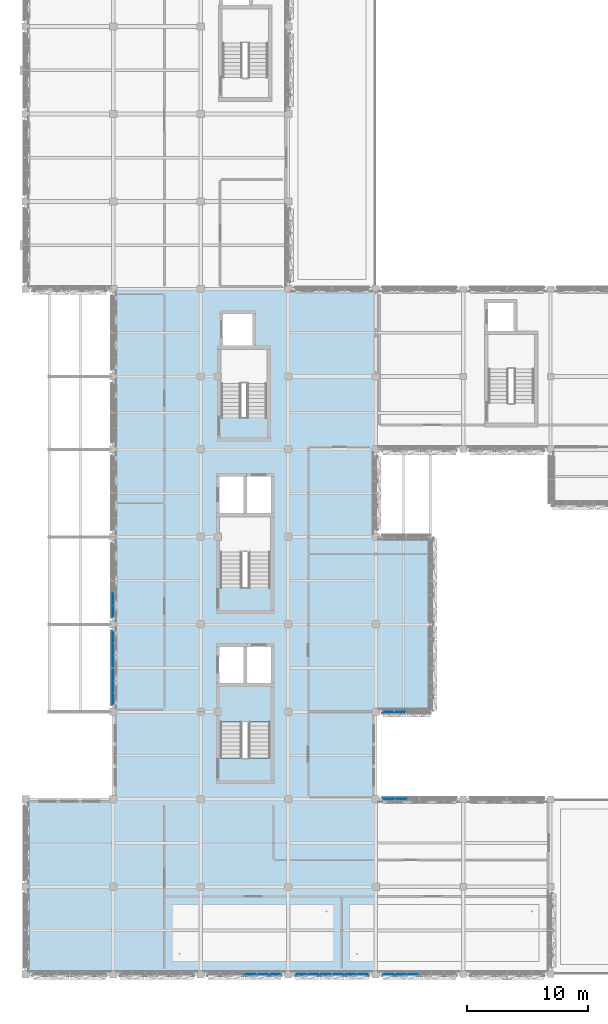
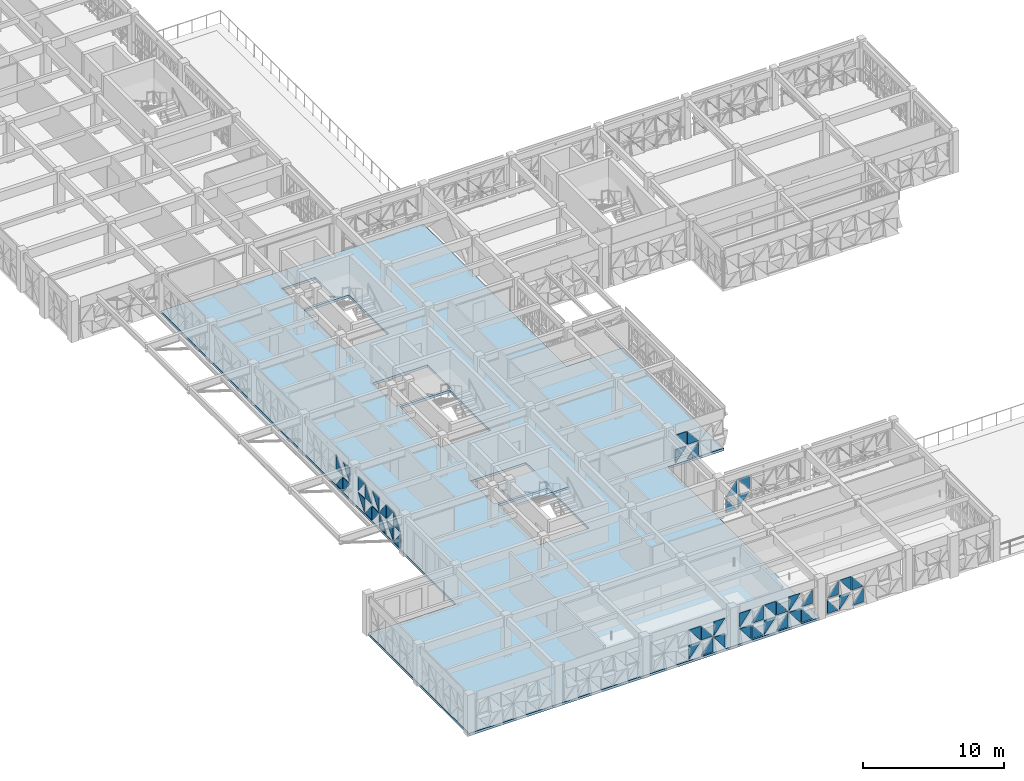
# One storey, part 33 of 99: 48 plates, 2 slabs, 8 elements without a shape of their own.
"""IFC4 building model written with IfcOpenShell, lengths in metres."""

from ifc_helpers import new_model, si_unit, direction, frame, origin, place, context, subcontext, project, spatial, polyline, outline, extrude, material, layer, layer_set, type_object, element, aggregate, save


model = new_model("IFC4")

# Units and contexts
model_context = context("Model", 3, precision=1e-05, world=origin(), true_north=direction((0.0, 1.0)))
body_context = subcontext(model_context, "Body", "Model", "MODEL_VIEW")
ifc_project = project(units=[si_unit("LENGTHUNIT", "METRE"), si_unit("AREAUNIT", "SQUARE_METRE"), si_unit("VOLUMEUNIT", "CUBIC_METRE"), si_unit("PLANEANGLEUNIT", "RADIAN"), si_unit("MASSUNIT", "GRAM", prefix="KILO")], contexts=[model_context])

# Site, building, storey
site_placement = place(None, origin())
site = spatial("IfcSite", under=ifc_project, at=site_placement, CompositionType="ELEMENT")
building_placement = place(site_placement, origin())
building = spatial("IfcBuilding", under=site, at=building_placement, Name="Alvorim Cloister Faculty of Sciences", CompositionType="ELEMENT")
storey_placement = place(building_placement, frame((0.0, 0.0, 12.14990234375)))
storey = spatial("IfcBuildingStorey", under=building, at=storey_placement, Name="L03", CompositionType="ELEMENT", Elevation=12.14990234375)

# Curtain wall, plates
ifc_material_1 = material(Name="Aluminium and Low-E Glass Curtain Wall", Category="aluminium")
curtain_wall_type_1 = type_object("IfcCurtainWallType", Name="CW-TRI-6120x2850", PredefinedType="USERDEFINED", material=ifc_material_1)
curtain_wall_1_placement = place(storey_placement, origin())
curtain_wall_1 = element("IfcCurtainWall", 1, at=curtain_wall_1_placement, inside=storey, type_object=curtain_wall_type_1, Name="L03 Diagonal Cassette Curtain Wall CW-0100", ObjectType="UNITISED CURTAIN WALL", PredefinedType="USERDEFINED")
ifc_material_2 = material(Name="Double Low-E Laminated Glass", Category="glass")
ifc_layer_1 = layer(ifc_material_2, 0.0400390625)
ifc_layer_set_1 = layer_set([ifc_layer_1], Name="Double Low-E Laminated Glass")
plate_type = type_object("IfcPlateType", Name="PN-GLZ-40", PredefinedType="CURTAIN_PANEL", material=ifc_layer_set_1)
plate_1_placement = place(storey_placement, frame((7.175048828125, 22.205078125, 0.14013671875), z_axis=(0.0, 0.0, 1.0), x_axis=(0.0, 1.0, 0.0)))
plate_1 = element("IfcPlate", 2, at=plate_1_placement, type_object=plate_type, Name="Diagonal Glazed Triangle TRI-BL", PredefinedType="CURTAIN_PANEL", context=body_context, shape_type="SweptSolid", body=[
    extrude(outline(polyline([(0.0, 0.0), (0.920654296875, 0.0), (0.0, 1.212890625), (0.0, 0.0)])), frame((0.0, 0.02490234375, 0.0), z_axis=(0.0, -1.0, 0.0), x_axis=(1.0, 0.0, 0.0)), (0.0, 0.0, 1.0), 0.050048828125),
])
plate_2_placement = place(storey_placement, frame((7.175048828125, 22.205078125, 1.4951171875), z_axis=(0.0, 0.0, 1.0), x_axis=(0.0, 1.0, 0.0)))
plate_2 = element("IfcPlate", 3, at=plate_2_placement, type_object=plate_type, Name="Diagonal Glazed Triangle TRI-BR", PredefinedType="CURTAIN_PANEL", context=body_context, shape_type="SweptSolid", body=[
    extrude(outline(polyline([(0.001953125, 0.0), (0.922607421875, 0.0), (0.922607421875, 1.213134765625), (0.001953125, 0.0)])), frame((0.0, 0.02490234375, 0.0), z_axis=(0.0, -1.0, 0.0), x_axis=(1.0, 0.0, 0.0)), (0.0, 0.0, 1.0), 0.050048828125),
])
plate_3_placement = place(storey_placement, frame((7.175048828125, 23.1923828125, 0.14013671875), z_axis=(0.0, 0.0, 1.0), x_axis=(0.0, 1.0, 0.0)))
plate_3 = element("IfcPlate", 4, at=plate_3_placement, type_object=plate_type, Name="Diagonal Glazed Triangle TRI-TL", PredefinedType="CURTAIN_PANEL", context=body_context, shape_type="SweptSolid", body=[
    extrude(outline(polyline([(0.953125, 1.21484375), (0.0, 1.21484375), (0.0, 0.001953125), (0.953125, 1.21484375)])), frame((0.0, 0.02490234375, 0.0), z_axis=(0.0, -1.0, 0.0), x_axis=(1.0, 0.0, 0.0)), (0.0, 0.0, 1.0), 0.050048828125),
])
plate_4_placement = place(storey_placement, frame((7.175048828125, 23.1923828125, 1.4951171875), z_axis=(0.0, 0.0, 1.0), x_axis=(0.0, 1.0, 0.0)))
plate_4 = element("IfcPlate", 5, at=plate_4_placement, type_object=plate_type, Name="Diagonal Glazed Triangle TRI-TR", PredefinedType="CURTAIN_PANEL", context=body_context, shape_type="SweptSolid", body=[
    extrude(outline(polyline([(0.955078125, 0.001953125), (0.955078125, 1.215087890625), (0.001953125, 1.215087890625), (0.955078125, 0.001953125)])), frame((0.0, 0.02490234375, 0.0), z_axis=(0.0, -1.0, 0.0), x_axis=(1.0, 0.0, 0.0)), (0.0, 0.0, 1.0), 0.050048828125),
])
plate_5_placement = place(storey_placement, frame((7.175048828125, 24.21240234375, 0.14013671875), z_axis=(0.0, 0.0, 1.0), x_axis=(0.0, 1.0, 0.0)))
plate_5 = element("IfcPlate", 6, at=plate_5_placement, type_object=plate_type, Name="Diagonal Glazed Triangle TRI-BR", PredefinedType="CURTAIN_PANEL", context=body_context, shape_type="SweptSolid", body=[
    extrude(outline(polyline([(0.001953125, 0.0), (0.955078125, 0.0), (0.955078125, 1.212890625), (0.001953125, 0.0)])), frame((0.0, 0.02490234375, 0.0), z_axis=(0.0, -1.0, 0.0), x_axis=(1.0, 0.0, 0.0)), (0.0, 0.0, 1.0), 0.050048828125),
])
plate_6_placement = place(storey_placement, frame((7.175048828125, 24.21240234375, 1.4951171875), z_axis=(0.0, 0.0, 1.0), x_axis=(0.0, 1.0, 0.0)))
plate_6 = element("IfcPlate", 7, at=plate_6_placement, type_object=plate_type, Name="Diagonal Glazed Triangle TRI-BL", PredefinedType="CURTAIN_PANEL", context=body_context, shape_type="SweptSolid", body=[
    extrude(outline(polyline([(0.0, 0.0), (0.953125, 0.0), (0.0, 1.213134765625), (0.0, 0.0)])), frame((0.0, 0.02490234375, 0.0), z_axis=(0.0, -1.0, 0.0), x_axis=(1.0, 0.0, 0.0)), (0.0, 0.0, 1.0), 0.050048828125),
])
plate_7_placement = place(storey_placement, frame((7.175048828125, 25.232421875, 0.14013671875), z_axis=(0.0, 0.0, 1.0), x_axis=(0.0, 1.0, 0.0)))
plate_7 = element("IfcPlate", 8, at=plate_7_placement, type_object=plate_type, Name="Diagonal Glazed Triangle TRI-TR", PredefinedType="CURTAIN_PANEL", context=body_context, shape_type="SweptSolid", body=[
    extrude(outline(polyline([(0.955078125, 0.001953125), (0.955078125, 1.21484375), (0.001953125, 1.21484375), (0.955078125, 0.001953125)])), frame((0.0, 0.02490234375, 0.0), z_axis=(0.0, -1.0, 0.0), x_axis=(1.0, 0.0, 0.0)), (0.0, 0.0, 1.0), 0.050048828125),
])
plate_8_placement = place(storey_placement, frame((7.175048828125, 25.232421875, 1.4951171875), z_axis=(0.0, 0.0, 1.0), x_axis=(0.0, 1.0, 0.0)))
plate_8 = element("IfcPlate", 9, at=plate_8_placement, type_object=plate_type, Name="Diagonal Glazed Triangle TRI-TL", PredefinedType="CURTAIN_PANEL", context=body_context, shape_type="SweptSolid", body=[
    extrude(outline(polyline([(0.953125, 1.215087890625), (0.0, 1.215087890625), (0.0, 0.001953125), (0.953125, 1.215087890625)])), frame((0.0, 0.02490234375, 0.0), z_axis=(0.0, -1.0, 0.0), x_axis=(1.0, 0.0, 0.0)), (0.0, 0.0, 1.0), 0.050048828125),
])
plate_9_placement = place(storey_placement, frame((7.175048828125, 26.25244140625, 0.14013671875), z_axis=(0.0, 0.0, 1.0), x_axis=(0.0, 1.0, 0.0)))
plate_9 = element("IfcPlate", 10, at=plate_9_placement, type_object=plate_type, Name="Diagonal Glazed Triangle TRI-BL", PredefinedType="CURTAIN_PANEL", context=body_context, shape_type="SweptSolid", body=[
    extrude(outline(polyline([(0.0, 0.0), (0.953125, 0.0), (0.0, 1.212890625), (0.0, 0.0)])), frame((0.0, 0.02490234375, 0.0), z_axis=(0.0, -1.0, 0.0), x_axis=(1.0, 0.0, 0.0)), (0.0, 0.0, 1.0), 0.050048828125),
])
plate_10_placement = place(storey_placement, frame((7.175048828125, 26.25244140625, 1.4951171875), z_axis=(0.0, 0.0, 1.0), x_axis=(0.0, 1.0, 0.0)))
plate_10 = element("IfcPlate", 11, at=plate_10_placement, type_object=plate_type, Name="Diagonal Glazed Triangle TRI-BR", PredefinedType="CURTAIN_PANEL", context=body_context, shape_type="SweptSolid", body=[
    extrude(outline(polyline([(0.001953125, 0.0), (0.955078125, 0.0), (0.955078125, 1.213134765625), (0.001953125, 0.0)])), frame((0.0, 0.02490234375, 0.0), z_axis=(0.0, -1.0, 0.0), x_axis=(1.0, 0.0, 0.0)), (0.0, 0.0, 1.0), 0.050048828125),
])
plate_11_placement = place(storey_placement, frame((7.175048828125, 27.2724609375, 0.14013671875), z_axis=(0.0, 0.0, 1.0), x_axis=(0.0, 1.0, 0.0)))
plate_11 = element("IfcPlate", 12, at=plate_11_placement, type_object=plate_type, Name="Diagonal Glazed Triangle TRI-TL", PredefinedType="CURTAIN_PANEL", context=body_context, shape_type="SweptSolid", body=[
    extrude(outline(polyline([(0.920654296875, 1.21484375), (0.0, 1.21484375), (0.0, 0.001953125), (0.920654296875, 1.21484375)])), frame((0.0, 0.02490234375, 0.0), z_axis=(0.0, -1.0, 0.0), x_axis=(1.0, 0.0, 0.0)), (0.0, 0.0, 1.0), 0.050048828125),
])
plate_12_placement = place(storey_placement, frame((7.175048828125, 27.2724609375, 1.4951171875), z_axis=(0.0, 0.0, 1.0), x_axis=(0.0, 1.0, 0.0)))
plate_12 = element("IfcPlate", 13, at=plate_12_placement, type_object=plate_type, Name="Diagonal Glazed Triangle TRI-TR", PredefinedType="CURTAIN_PANEL", context=body_context, shape_type="SweptSolid", body=[
    extrude(outline(polyline([(0.922607421875, 0.001953125), (0.922607421875, 1.215087890625), (0.001953125, 1.215087890625), (0.922607421875, 0.001953125)])), frame((0.0, 0.02490234375, 0.0), z_axis=(0.0, -1.0, 0.0), x_axis=(1.0, 0.0, 0.0)), (0.0, 0.0, 1.0), 0.050048828125),
])
aggregate(curtain_wall_1, [plate_1, plate_2, plate_3, plate_4, plate_5, plate_6, plate_7, plate_8, plate_9, plate_10, plate_11, plate_12])

curtain_wall_2_placement = place(storey_placement, origin())
curtain_wall_2 = element("IfcCurtainWall", 14, at=curtain_wall_2_placement, inside=storey, type_object=curtain_wall_type_1, Name="L03 Diagonal Cassette Curtain Wall CW-0101", ObjectType="UNITISED CURTAIN WALL", PredefinedType="USERDEFINED")
plate_13_placement = place(storey_placement, frame((7.175048828125, 29.405029296875, 0.14013671875), z_axis=(0.0, 0.0, 1.0), x_axis=(0.0, 1.0, 0.0)))
plate_13 = element("IfcPlate", 15, at=plate_13_placement, type_object=plate_type, Name="Diagonal Glazed Triangle TRI-TR", PredefinedType="CURTAIN_PANEL", context=body_context, shape_type="SweptSolid", body=[
    extrude(outline(polyline([(0.922607421875, 0.001953125), (0.922607421875, 1.21484375), (0.001953125, 1.21484375), (0.922607421875, 0.001953125)])), frame((0.0, 0.02490234375, 0.0), z_axis=(0.0, -1.0, 0.0), x_axis=(1.0, 0.0, 0.0)), (0.0, 0.0, 1.0), 0.050048828125),
])
plate_14_placement = place(storey_placement, frame((7.175048828125, 29.405029296875, 1.4951171875), z_axis=(0.0, 0.0, 1.0), x_axis=(0.0, 1.0, 0.0)))
plate_14 = element("IfcPlate", 16, at=plate_14_placement, type_object=plate_type, Name="Diagonal Glazed Triangle TRI-TL", PredefinedType="CURTAIN_PANEL", context=body_context, shape_type="SweptSolid", body=[
    extrude(outline(polyline([(0.920654296875, 1.215087890625), (0.0, 1.215087890625), (0.0, 0.001953125), (0.920654296875, 1.215087890625)])), frame((0.0, 0.02490234375, 0.0), z_axis=(0.0, -1.0, 0.0), x_axis=(1.0, 0.0, 0.0)), (0.0, 0.0, 1.0), 0.050048828125),
])
plate_15_placement = place(storey_placement, frame((7.175048828125, 30.392578125, 0.14013671875), z_axis=(0.0, 0.0, 1.0), x_axis=(0.0, 1.0, 0.0)))
plate_15 = element("IfcPlate", 17, at=plate_15_placement, type_object=plate_type, Name="Diagonal Glazed Triangle TRI-BL", PredefinedType="CURTAIN_PANEL", context=body_context, shape_type="SweptSolid", body=[
    extrude(outline(polyline([(0.0, 0.0), (0.953125, 0.0), (0.0, 1.212890625), (0.0, 0.0)])), frame((0.0, 0.02490234375, 0.0), z_axis=(0.0, -1.0, 0.0), x_axis=(1.0, 0.0, 0.0)), (0.0, 0.0, 1.0), 0.050048828125),
])
plate_16_placement = place(storey_placement, frame((7.175048828125, 30.392578125, 1.4951171875), z_axis=(0.0, 0.0, 1.0), x_axis=(0.0, 1.0, 0.0)))
plate_16 = element("IfcPlate", 18, at=plate_16_placement, type_object=plate_type, Name="Diagonal Glazed Triangle TRI-BR", PredefinedType="CURTAIN_PANEL", context=body_context, shape_type="SweptSolid", body=[
    extrude(outline(polyline([(0.001953125, 0.0), (0.955078125, 0.0), (0.955078125, 1.213134765625), (0.001953125, 0.0)])), frame((0.0, 0.02490234375, 0.0), z_axis=(0.0, -1.0, 0.0), x_axis=(1.0, 0.0, 0.0)), (0.0, 0.0, 1.0), 0.050048828125),
])
aggregate(curtain_wall_2, [plate_13, plate_14, plate_15, plate_16])

curtain_wall_type_2 = type_object("IfcCurtainWallType", Name="CW-TRI-3980x2706", PredefinedType="USERDEFINED", material=ifc_material_1)
curtain_wall_3_placement = place(storey_placement, origin())
curtain_wall_3 = element("IfcCurtainWall", 19, at=curtain_wall_3_placement, inside=storey, type_object=curtain_wall_type_2, Name="L03 Diagonal Cassette Curtain Wall CW-0143", ObjectType="UNITISED CURTAIN WALL", PredefinedType="USERDEFINED")
plate_17_placement = place(storey_placement, frame((29.405029296875, 21.574951171875, 0.14013671875), z_axis=(0.0, 0.0, 1.0), x_axis=(1.0, 0.0, 0.0)))
plate_17 = element("IfcPlate", 20, at=plate_17_placement, type_object=plate_type, Name="Diagonal Glazed Triangle TRI-TL", PredefinedType="CURTAIN_PANEL", context=body_context, shape_type="SweptSolid", body=[
    extrude(outline(polyline([(0.8955078125, 1.14306640625), (0.0, 1.14306640625), (0.0, 0.001953125), (0.8955078125, 1.14306640625)])), frame((0.0, 0.02490234375, 0.0), z_axis=(0.0, -1.0, 0.0), x_axis=(1.0, 0.0, 0.0)), (0.0, 0.0, 1.0), 0.050048828125),
])
plate_18_placement = place(storey_placement, frame((29.405029296875, 21.574951171875, 1.423095703125), z_axis=(0.0, 0.0, 1.0), x_axis=(1.0, 0.0, 0.0)))
plate_18 = element("IfcPlate", 21, at=plate_18_placement, type_object=plate_type, Name="Diagonal Glazed Triangle TRI-TR", PredefinedType="CURTAIN_PANEL", context=body_context, shape_type="SweptSolid", body=[
    extrude(outline(polyline([(0.8974609375, 0.001953125), (0.8974609375, 1.14306640625), (0.001953125, 1.14306640625), (0.8974609375, 0.001953125)])), frame((0.0, 0.02490234375, 0.0), z_axis=(0.0, -1.0, 0.0), x_axis=(1.0, 0.0, 0.0)), (0.0, 0.0, 1.0), 0.050048828125),
])
plate_19_placement = place(storey_placement, frame((30.367431640625, 21.574951171875, 0.14013671875), z_axis=(0.0, 0.0, 1.0), x_axis=(1.0, 0.0, 0.0)))
plate_19 = element("IfcPlate", 22, at=plate_19_placement, type_object=plate_type, Name="Diagonal Glazed Triangle TRI-BR", PredefinedType="CURTAIN_PANEL", context=body_context, shape_type="SweptSolid", body=[
    extrude(outline(polyline([(0.001953125, 0.0), (0.929931640625, 0.0), (0.929931640625, 1.14111328125), (0.001953125, 0.0)])), frame((0.0, 0.02490234375, 0.0), z_axis=(0.0, -1.0, 0.0), x_axis=(1.0, 0.0, 0.0)), (0.0, 0.0, 1.0), 0.050048828125),
])
plate_20_placement = place(storey_placement, frame((30.367431640625, 21.574951171875, 1.423095703125), z_axis=(0.0, 0.0, 1.0), x_axis=(1.0, 0.0, 0.0)))
plate_20 = element("IfcPlate", 23, at=plate_20_placement, type_object=plate_type, Name="Diagonal Glazed Triangle TRI-BL", PredefinedType="CURTAIN_PANEL", context=body_context, shape_type="SweptSolid", body=[
    extrude(outline(polyline([(0.0, 0.0), (0.927978515625, 0.0), (0.0, 1.14111328125), (0.0, 0.0)])), frame((0.0, 0.02490234375, 0.0), z_axis=(0.0, -1.0, 0.0), x_axis=(1.0, 0.0, 0.0)), (0.0, 0.0, 1.0), 0.050048828125),
])
aggregate(curtain_wall_3, [plate_17, plate_18, plate_19, plate_20])

curtain_wall_4_placement = place(storey_placement, origin())
curtain_wall_4 = element("IfcCurtainWall", 24, at=curtain_wall_4_placement, inside=storey, type_object=curtain_wall_type_1, Name="L03 Diagonal Cassette Curtain Wall CW-0144", ObjectType="UNITISED CURTAIN WALL", PredefinedType="USERDEFINED")
plate_21_placement = place(storey_placement, frame((29.405029296875, 14.425048828125, 0.14013671875), z_axis=(0.0, 0.0, 1.0), x_axis=(1.0, 0.0, 0.0)))
plate_21 = element("IfcPlate", 25, at=plate_21_placement, type_object=plate_type, Name="Diagonal Glazed Triangle TRI-BL", PredefinedType="CURTAIN_PANEL", context=body_context, shape_type="SweptSolid", body=[
    extrude(outline(polyline([(0.0, 0.0), (0.920654296875, 0.0), (0.0, 1.212890625), (0.0, 0.0)])), frame((0.0, 0.02490234375, 0.0), z_axis=(0.0, -1.0, 0.0), x_axis=(1.0, 0.0, 0.0)), (0.0, 0.0, 1.0), 0.050048828125),
])
plate_22_placement = place(storey_placement, frame((29.405029296875, 14.425048828125, 1.4951171875), z_axis=(0.0, 0.0, 1.0), x_axis=(1.0, 0.0, 0.0)))
plate_22 = element("IfcPlate", 26, at=plate_22_placement, type_object=plate_type, Name="Diagonal Glazed Triangle TRI-BR", PredefinedType="CURTAIN_PANEL", context=body_context, shape_type="SweptSolid", body=[
    extrude(outline(polyline([(0.001953125, 0.0), (0.922607421875, 0.0), (0.922607421875, 1.213134765625), (0.001953125, 0.0)])), frame((0.0, 0.02490234375, 0.0), z_axis=(0.0, -1.0, 0.0), x_axis=(1.0, 0.0, 0.0)), (0.0, 0.0, 1.0), 0.050048828125),
])
plate_23_placement = place(storey_placement, frame((30.392578125, 14.425048828125, 0.14013671875), z_axis=(0.0, 0.0, 1.0), x_axis=(1.0, 0.0, 0.0)))
plate_23 = element("IfcPlate", 27, at=plate_23_placement, type_object=plate_type, Name="Diagonal Glazed Triangle TRI-TL", PredefinedType="CURTAIN_PANEL", context=body_context, shape_type="SweptSolid", body=[
    extrude(outline(polyline([(0.953125, 1.21484375), (0.0, 1.21484375), (0.0, 0.001953125), (0.953125, 1.21484375)])), frame((0.0, 0.02490234375, 0.0), z_axis=(0.0, -1.0, 0.0), x_axis=(1.0, 0.0, 0.0)), (0.0, 0.0, 1.0), 0.050048828125),
])
plate_24_placement = place(storey_placement, frame((30.392578125, 14.425048828125, 1.4951171875), z_axis=(0.0, 0.0, 1.0), x_axis=(1.0, 0.0, 0.0)))
plate_24 = element("IfcPlate", 28, at=plate_24_placement, type_object=plate_type, Name="Diagonal Glazed Triangle TRI-TR", PredefinedType="CURTAIN_PANEL", context=body_context, shape_type="SweptSolid", body=[
    extrude(outline(polyline([(0.955078125, 0.001953125), (0.955078125, 1.215087890625), (0.001953125, 1.215087890625), (0.955078125, 0.001953125)])), frame((0.0, 0.02490234375, 0.0), z_axis=(0.0, -1.0, 0.0), x_axis=(1.0, 0.0, 0.0)), (0.0, 0.0, 1.0), 0.050048828125),
])
aggregate(curtain_wall_4, [plate_21, plate_22, plate_23, plate_24])

curtain_wall_5_placement = place(storey_placement, origin())
curtain_wall_5 = element("IfcCurtainWall", 29, at=curtain_wall_5_placement, inside=storey, type_object=curtain_wall_type_1, Name="L03 Diagonal Cassette Curtain Wall CW-0148", ObjectType="UNITISED CURTAIN WALL", PredefinedType="USERDEFINED")
plate_25_placement = place(storey_placement, frame((29.405029296875, -0.02490234375, 0.14013671875), z_axis=(0.0, 0.0, 1.0), x_axis=(1.0, 0.0, 0.0)))
plate_25 = element("IfcPlate", 30, at=plate_25_placement, type_object=plate_type, Name="Diagonal Glazed Triangle TRI-BL", PredefinedType="CURTAIN_PANEL", context=body_context, shape_type="SweptSolid", body=[
    extrude(outline(polyline([(0.0, 0.0), (0.920654296875, 0.0), (0.0, 1.212890625), (0.0, 0.0)])), frame((0.0, 0.02490234375, 0.0), z_axis=(0.0, -1.0, 0.0), x_axis=(1.0, 0.0, 0.0)), (0.0, 0.0, 1.0), 0.050048828125),
])
plate_26_placement = place(storey_placement, frame((29.405029296875, -0.02490234375, 1.4951171875), z_axis=(0.0, 0.0, 1.0), x_axis=(1.0, 0.0, 0.0)))
plate_26 = element("IfcPlate", 31, at=plate_26_placement, type_object=plate_type, Name="Diagonal Glazed Triangle TRI-BR", PredefinedType="CURTAIN_PANEL", context=body_context, shape_type="SweptSolid", body=[
    extrude(outline(polyline([(0.001953125, 0.0), (0.922607421875, 0.0), (0.922607421875, 1.213134765625), (0.001953125, 0.0)])), frame((0.0, 0.02490234375, 0.0), z_axis=(0.0, -1.0, 0.0), x_axis=(1.0, 0.0, 0.0)), (0.0, 0.0, 1.0), 0.050048828125),
])
plate_27_placement = place(storey_placement, frame((30.392578125, -0.02490234375, 0.14013671875), z_axis=(0.0, 0.0, 1.0), x_axis=(1.0, 0.0, 0.0)))
plate_27 = element("IfcPlate", 32, at=plate_27_placement, type_object=plate_type, Name="Diagonal Glazed Triangle TRI-TL", PredefinedType="CURTAIN_PANEL", context=body_context, shape_type="SweptSolid", body=[
    extrude(outline(polyline([(0.953125, 1.21484375), (0.0, 1.21484375), (0.0, 0.001953125), (0.953125, 1.21484375)])), frame((0.0, 0.02490234375, 0.0), z_axis=(0.0, -1.0, 0.0), x_axis=(1.0, 0.0, 0.0)), (0.0, 0.0, 1.0), 0.050048828125),
])
plate_28_placement = place(storey_placement, frame((30.392578125, -0.02490234375, 1.4951171875), z_axis=(0.0, 0.0, 1.0), x_axis=(1.0, 0.0, 0.0)))
plate_28 = element("IfcPlate", 33, at=plate_28_placement, type_object=plate_type, Name="Diagonal Glazed Triangle TRI-TR", PredefinedType="CURTAIN_PANEL", context=body_context, shape_type="SweptSolid", body=[
    extrude(outline(polyline([(0.955078125, 0.001953125), (0.955078125, 1.215087890625), (0.001953125, 1.215087890625), (0.955078125, 0.001953125)])), frame((0.0, 0.02490234375, 0.0), z_axis=(0.0, -1.0, 0.0), x_axis=(1.0, 0.0, 0.0)), (0.0, 0.0, 1.0), 0.050048828125),
])
plate_29_placement = place(storey_placement, frame((31.41259765625, -0.02490234375, 0.14013671875), z_axis=(0.0, 0.0, 1.0), x_axis=(1.0, 0.0, 0.0)))
plate_29 = element("IfcPlate", 34, at=plate_29_placement, type_object=plate_type, Name="Diagonal Glazed Triangle TRI-BR", PredefinedType="CURTAIN_PANEL", context=body_context, shape_type="SweptSolid", body=[
    extrude(outline(polyline([(0.001953125, 0.0), (0.955078125, 0.0), (0.955078125, 1.212890625), (0.001953125, 0.0)])), frame((0.0, 0.02490234375, 0.0), z_axis=(0.0, -1.0, 0.0), x_axis=(1.0, 0.0, 0.0)), (0.0, 0.0, 1.0), 0.050048828125),
])
plate_30_placement = place(storey_placement, frame((31.41259765625, -0.02490234375, 1.4951171875), z_axis=(0.0, 0.0, 1.0), x_axis=(1.0, 0.0, 0.0)))
plate_30 = element("IfcPlate", 35, at=plate_30_placement, type_object=plate_type, Name="Diagonal Glazed Triangle TRI-BL", PredefinedType="CURTAIN_PANEL", context=body_context, shape_type="SweptSolid", body=[
    extrude(outline(polyline([(0.0, 0.0), (0.953125, 0.0), (0.0, 1.213134765625), (0.0, 0.0)])), frame((0.0, 0.02490234375, 0.0), z_axis=(0.0, -1.0, 0.0), x_axis=(1.0, 0.0, 0.0)), (0.0, 0.0, 1.0), 0.050048828125),
])
aggregate(curtain_wall_5, [plate_25, plate_26, plate_27, plate_28, plate_29, plate_30])

curtain_wall_6_placement = place(storey_placement, origin())
curtain_wall_6 = element("IfcCurtainWall", 36, at=curtain_wall_6_placement, inside=storey, type_object=curtain_wall_type_1, Name="L03 Diagonal Cassette Curtain Wall CW-0149", ObjectType="UNITISED CURTAIN WALL", PredefinedType="USERDEFINED")
plate_31_placement = place(storey_placement, frame((22.205078125, -0.02490234375, 0.14013671875), z_axis=(0.0, 0.0, 1.0), x_axis=(1.0, 0.0, 0.0)))
plate_31 = element("IfcPlate", 37, at=plate_31_placement, type_object=plate_type, Name="Diagonal Glazed Triangle TRI-TR", PredefinedType="CURTAIN_PANEL", context=body_context, shape_type="SweptSolid", body=[
    extrude(outline(polyline([(0.922607421875, 0.001953125), (0.922607421875, 1.21484375), (0.001953125, 1.21484375), (0.922607421875, 0.001953125)])), frame((0.0, 0.02490234375, 0.0), z_axis=(0.0, -1.0, 0.0), x_axis=(1.0, 0.0, 0.0)), (0.0, 0.0, 1.0), 0.050048828125),
])
plate_32_placement = place(storey_placement, frame((22.205078125, -0.02490234375, 1.4951171875), z_axis=(0.0, 0.0, 1.0), x_axis=(1.0, 0.0, 0.0)))
plate_32 = element("IfcPlate", 38, at=plate_32_placement, type_object=plate_type, Name="Diagonal Glazed Triangle TRI-TL", PredefinedType="CURTAIN_PANEL", context=body_context, shape_type="SweptSolid", body=[
    extrude(outline(polyline([(0.920654296875, 1.215087890625), (0.0, 1.215087890625), (0.0, 0.001953125), (0.920654296875, 1.215087890625)])), frame((0.0, 0.02490234375, 0.0), z_axis=(0.0, -1.0, 0.0), x_axis=(1.0, 0.0, 0.0)), (0.0, 0.0, 1.0), 0.050048828125),
])
plate_33_placement = place(storey_placement, frame((23.1923828125, -0.02490234375, 0.14013671875), z_axis=(0.0, 0.0, 1.0), x_axis=(1.0, 0.0, 0.0)))
plate_33 = element("IfcPlate", 39, at=plate_33_placement, type_object=plate_type, Name="Diagonal Glazed Triangle TRI-BL", PredefinedType="CURTAIN_PANEL", context=body_context, shape_type="SweptSolid", body=[
    extrude(outline(polyline([(0.0, 0.0), (0.953125, 0.0), (0.0, 1.212890625), (0.0, 0.0)])), frame((0.0, 0.02490234375, 0.0), z_axis=(0.0, -1.0, 0.0), x_axis=(1.0, 0.0, 0.0)), (0.0, 0.0, 1.0), 0.050048828125),
])
plate_34_placement = place(storey_placement, frame((23.1923828125, -0.02490234375, 1.4951171875), z_axis=(0.0, 0.0, 1.0), x_axis=(1.0, 0.0, 0.0)))
plate_34 = element("IfcPlate", 40, at=plate_34_placement, type_object=plate_type, Name="Diagonal Glazed Triangle TRI-BR", PredefinedType="CURTAIN_PANEL", context=body_context, shape_type="SweptSolid", body=[
    extrude(outline(polyline([(0.001953125, 0.0), (0.955078125, 0.0), (0.955078125, 1.213134765625), (0.001953125, 0.0)])), frame((0.0, 0.02490234375, 0.0), z_axis=(0.0, -1.0, 0.0), x_axis=(1.0, 0.0, 0.0)), (0.0, 0.0, 1.0), 0.050048828125),
])
plate_35_placement = place(storey_placement, frame((24.21240234375, -0.02490234375, 0.14013671875), z_axis=(0.0, 0.0, 1.0), x_axis=(1.0, 0.0, 0.0)))
plate_35 = element("IfcPlate", 41, at=plate_35_placement, type_object=plate_type, Name="Diagonal Glazed Triangle TRI-TL", PredefinedType="CURTAIN_PANEL", context=body_context, shape_type="SweptSolid", body=[
    extrude(outline(polyline([(0.953125, 1.21484375), (0.0, 1.21484375), (0.0, 0.001953125), (0.953125, 1.21484375)])), frame((0.0, 0.02490234375, 0.0), z_axis=(0.0, -1.0, 0.0), x_axis=(1.0, 0.0, 0.0)), (0.0, 0.0, 1.0), 0.050048828125),
])
plate_36_placement = place(storey_placement, frame((24.21240234375, -0.02490234375, 1.4951171875), z_axis=(0.0, 0.0, 1.0), x_axis=(1.0, 0.0, 0.0)))
plate_36 = element("IfcPlate", 42, at=plate_36_placement, type_object=plate_type, Name="Diagonal Glazed Triangle TRI-TR", PredefinedType="CURTAIN_PANEL", context=body_context, shape_type="SweptSolid", body=[
    extrude(outline(polyline([(0.955078125, 0.001953125), (0.955078125, 1.215087890625), (0.001953125, 1.215087890625), (0.955078125, 0.001953125)])), frame((0.0, 0.02490234375, 0.0), z_axis=(0.0, -1.0, 0.0), x_axis=(1.0, 0.0, 0.0)), (0.0, 0.0, 1.0), 0.050048828125),
])
plate_37_placement = place(storey_placement, frame((25.232421875, -0.02490234375, 0.14013671875), z_axis=(0.0, 0.0, 1.0), x_axis=(1.0, 0.0, 0.0)))
plate_37 = element("IfcPlate", 43, at=plate_37_placement, type_object=plate_type, Name="Diagonal Glazed Triangle TRI-BR", PredefinedType="CURTAIN_PANEL", context=body_context, shape_type="SweptSolid", body=[
    extrude(outline(polyline([(0.001953125, 0.0), (0.955078125, 0.0), (0.955078125, 1.212890625), (0.001953125, 0.0)])), frame((0.0, 0.02490234375, 0.0), z_axis=(0.0, -1.0, 0.0), x_axis=(1.0, 0.0, 0.0)), (0.0, 0.0, 1.0), 0.050048828125),
])
plate_38_placement = place(storey_placement, frame((25.232421875, -0.02490234375, 1.4951171875), z_axis=(0.0, 0.0, 1.0), x_axis=(1.0, 0.0, 0.0)))
plate_38 = element("IfcPlate", 44, at=plate_38_placement, type_object=plate_type, Name="Diagonal Glazed Triangle TRI-BL", PredefinedType="CURTAIN_PANEL", context=body_context, shape_type="SweptSolid", body=[
    extrude(outline(polyline([(0.0, 0.0), (0.953125, 0.0), (0.0, 1.213134765625), (0.0, 0.0)])), frame((0.0, 0.02490234375, 0.0), z_axis=(0.0, -1.0, 0.0), x_axis=(1.0, 0.0, 0.0)), (0.0, 0.0, 1.0), 0.050048828125),
])
plate_39_placement = place(storey_placement, frame((26.25244140625, -0.02490234375, 0.14013671875), z_axis=(0.0, 0.0, 1.0), x_axis=(1.0, 0.0, 0.0)))
plate_39 = element("IfcPlate", 45, at=plate_39_placement, type_object=plate_type, Name="Diagonal Glazed Triangle TRI-TR", PredefinedType="CURTAIN_PANEL", context=body_context, shape_type="SweptSolid", body=[
    extrude(outline(polyline([(0.955078125, 0.001953125), (0.955078125, 1.21484375), (0.001953125, 1.21484375), (0.955078125, 0.001953125)])), frame((0.0, 0.02490234375, 0.0), z_axis=(0.0, -1.0, 0.0), x_axis=(1.0, 0.0, 0.0)), (0.0, 0.0, 1.0), 0.050048828125),
])
plate_40_placement = place(storey_placement, frame((26.25244140625, -0.02490234375, 1.4951171875), z_axis=(0.0, 0.0, 1.0), x_axis=(1.0, 0.0, 0.0)))
plate_40 = element("IfcPlate", 46, at=plate_40_placement, type_object=plate_type, Name="Diagonal Glazed Triangle TRI-TL", PredefinedType="CURTAIN_PANEL", context=body_context, shape_type="SweptSolid", body=[
    extrude(outline(polyline([(0.953125, 1.215087890625), (0.0, 1.215087890625), (0.0, 0.001953125), (0.953125, 1.215087890625)])), frame((0.0, 0.02490234375, 0.0), z_axis=(0.0, -1.0, 0.0), x_axis=(1.0, 0.0, 0.0)), (0.0, 0.0, 1.0), 0.050048828125),
])
plate_41_placement = place(storey_placement, frame((27.2724609375, -0.02490234375, 0.14013671875), z_axis=(0.0, 0.0, 1.0), x_axis=(1.0, 0.0, 0.0)))
plate_41 = element("IfcPlate", 47, at=plate_41_placement, type_object=plate_type, Name="Diagonal Glazed Triangle TRI-BL", PredefinedType="CURTAIN_PANEL", context=body_context, shape_type="SweptSolid", body=[
    extrude(outline(polyline([(0.0, 0.0), (0.920654296875, 0.0), (0.0, 1.212890625), (0.0, 0.0)])), frame((0.0, 0.02490234375, 0.0), z_axis=(0.0, -1.0, 0.0), x_axis=(1.0, 0.0, 0.0)), (0.0, 0.0, 1.0), 0.050048828125),
])
plate_42_placement = place(storey_placement, frame((27.2724609375, -0.02490234375, 1.4951171875), z_axis=(0.0, 0.0, 1.0), x_axis=(1.0, 0.0, 0.0)))
plate_42 = element("IfcPlate", 48, at=plate_42_placement, type_object=plate_type, Name="Diagonal Glazed Triangle TRI-BR", PredefinedType="CURTAIN_PANEL", context=body_context, shape_type="SweptSolid", body=[
    extrude(outline(polyline([(0.001953125, 0.0), (0.922607421875, 0.0), (0.922607421875, 1.213134765625), (0.001953125, 0.0)])), frame((0.0, 0.02490234375, 0.0), z_axis=(0.0, -1.0, 0.0), x_axis=(1.0, 0.0, 0.0)), (0.0, 0.0, 1.0), 0.050048828125),
])
aggregate(curtain_wall_6, [plate_31, plate_32, plate_33, plate_34, plate_35, plate_36, plate_37, plate_38, plate_39, plate_40, plate_41, plate_42])

curtain_wall_7_placement = place(storey_placement, origin())
curtain_wall_7 = element("IfcCurtainWall", 49, at=curtain_wall_7_placement, inside=storey, type_object=curtain_wall_type_1, Name="L03 Diagonal Cassette Curtain Wall CW-0150", ObjectType="UNITISED CURTAIN WALL", PredefinedType="USERDEFINED")
plate_43_placement = place(storey_placement, frame((18.032470703125, -0.02490234375, 0.14013671875), z_axis=(0.0, 0.0, 1.0), x_axis=(1.0, 0.0, 0.0)))
plate_43 = element("IfcPlate", 50, at=plate_43_placement, type_object=plate_type, Name="Diagonal Glazed Triangle TRI-TL", PredefinedType="CURTAIN_PANEL", context=body_context, shape_type="SweptSolid", body=[
    extrude(outline(polyline([(0.953125, 1.21484375), (0.0, 1.21484375), (0.0, 0.001953125), (0.953125, 1.21484375)])), frame((0.0, 0.02490234375, 0.0), z_axis=(0.0, -1.0, 0.0), x_axis=(1.0, 0.0, 0.0)), (0.0, 0.0, 1.0), 0.050048828125),
])
plate_44_placement = place(storey_placement, frame((18.032470703125, -0.02490234375, 1.4951171875), z_axis=(0.0, 0.0, 1.0), x_axis=(1.0, 0.0, 0.0)))
plate_44 = element("IfcPlate", 51, at=plate_44_placement, type_object=plate_type, Name="Diagonal Glazed Triangle TRI-TR", PredefinedType="CURTAIN_PANEL", context=body_context, shape_type="SweptSolid", body=[
    extrude(outline(polyline([(0.955078125, 0.001953125), (0.955078125, 1.215087890625), (0.001953125, 1.215087890625), (0.955078125, 0.001953125)])), frame((0.0, 0.02490234375, 0.0), z_axis=(0.0, -1.0, 0.0), x_axis=(1.0, 0.0, 0.0)), (0.0, 0.0, 1.0), 0.050048828125),
])
plate_45_placement = place(storey_placement, frame((19.052490234375, -0.02490234375, 0.14013671875), z_axis=(0.0, 0.0, 1.0), x_axis=(1.0, 0.0, 0.0)))
plate_45 = element("IfcPlate", 52, at=plate_45_placement, type_object=plate_type, Name="Diagonal Glazed Triangle TRI-BR", PredefinedType="CURTAIN_PANEL", context=body_context, shape_type="SweptSolid", body=[
    extrude(outline(polyline([(0.001953125, 0.0), (0.955078125, 0.0), (0.955078125, 1.212890625), (0.001953125, 0.0)])), frame((0.0, 0.02490234375, 0.0), z_axis=(0.0, -1.0, 0.0), x_axis=(1.0, 0.0, 0.0)), (0.0, 0.0, 1.0), 0.050048828125),
])
plate_46_placement = place(storey_placement, frame((19.052490234375, -0.02490234375, 1.4951171875), z_axis=(0.0, 0.0, 1.0), x_axis=(1.0, 0.0, 0.0)))
plate_46 = element("IfcPlate", 53, at=plate_46_placement, type_object=plate_type, Name="Diagonal Glazed Triangle TRI-BL", PredefinedType="CURTAIN_PANEL", context=body_context, shape_type="SweptSolid", body=[
    extrude(outline(polyline([(0.0, 0.0), (0.953125, 0.0), (0.0, 1.213134765625), (0.0, 0.0)])), frame((0.0, 0.02490234375, 0.0), z_axis=(0.0, -1.0, 0.0), x_axis=(1.0, 0.0, 0.0)), (0.0, 0.0, 1.0), 0.050048828125),
])
plate_47_placement = place(storey_placement, frame((20.072509765625, -0.02490234375, 0.14013671875), z_axis=(0.0, 0.0, 1.0), x_axis=(1.0, 0.0, 0.0)))
plate_47 = element("IfcPlate", 54, at=plate_47_placement, type_object=plate_type, Name="Diagonal Glazed Triangle TRI-TR", PredefinedType="CURTAIN_PANEL", context=body_context, shape_type="SweptSolid", body=[
    extrude(outline(polyline([(0.922607421875, 0.001953125), (0.922607421875, 1.21484375), (0.001953125, 1.21484375), (0.922607421875, 0.001953125)])), frame((0.0, 0.02490234375, 0.0), z_axis=(0.0, -1.0, 0.0), x_axis=(1.0, 0.0, 0.0)), (0.0, 0.0, 1.0), 0.050048828125),
])
plate_48_placement = place(storey_placement, frame((20.072509765625, -0.02490234375, 1.4951171875), z_axis=(0.0, 0.0, 1.0), x_axis=(1.0, 0.0, 0.0)))
plate_48 = element("IfcPlate", 55, at=plate_48_placement, type_object=plate_type, Name="Diagonal Glazed Triangle TRI-TL", PredefinedType="CURTAIN_PANEL", context=body_context, shape_type="SweptSolid", body=[
    extrude(outline(polyline([(0.920654296875, 1.215087890625), (0.0, 1.215087890625), (0.0, 0.001953125), (0.920654296875, 1.215087890625)])), frame((0.0, 0.02490234375, 0.0), z_axis=(0.0, -1.0, 0.0), x_axis=(1.0, 0.0, 0.0)), (0.0, 0.0, 1.0), 0.050048828125),
])
aggregate(curtain_wall_7, [plate_43, plate_44, plate_45, plate_46, plate_47, plate_48])

# Slab
ifc_material_3 = material(Name="Cross-Laminated Timber CLT C24", Category="wood")
ifc_layer_2 = layer(ifc_material_3, 0.2099609375)
ifc_layer_set_2 = layer_set([ifc_layer_2], Name="Cross-Laminated Timber CLT C24")
slab_type_1 = type_object("IfcSlabType", Name="SL-CLT-210", PredefinedType="FLOOR", material=ifc_layer_set_2)
slab_1_placement = place(storey_placement, frame((0.0, 0.0, -0.2099609375)))
element("IfcSlab", 56, at=slab_1_placement, inside=storey, type_object=slab_type_1, Name="L03 V5 Structural Slab 23", PredefinedType="FLOOR", context=body_context, shape_type="SweptSolid", body=[
    extrude(outline(polyline([(0.0048828125, 14.39501953125), (7.205078125, 14.39501953125), (7.205078125, 56.39501953125), (28.794921875, 56.39501953125), (28.794921875, 35.9951171875), (33.39501953125, 35.9951171875), (33.39501953125, 21.60498046875), (28.794921875, 21.60498046875), (28.794921875, 0.0048828125), (0.0048828125, 0.0048828125), (0.0048828125, 14.39501953125)]), holes=[polyline([(20.1201171875, 23.60009765625), (16.0, 23.60009765625), (16.0, 17.81005859375), (20.1201171875, 17.81005859375), (20.1201171875, 23.60009765625)]), polyline([(18.06005859375, 23.800048828125), (20.320068359375, 23.800048828125), (20.320068359375, 27.10009765625), (18.06005859375, 27.10009765625), (15.800048828125, 27.10009765625), (15.800048828125, 23.800048828125), (18.06005859375, 23.800048828125)]), polyline([(20.1201171875, 37.60009765625), (16.0, 37.60009765625), (16.0, 31.81005859375), (20.1201171875, 31.81005859375), (20.1201171875, 37.60009765625)]), polyline([(18.06005859375, 37.800048828125), (20.320068359375, 37.800048828125), (20.320068359375, 41.10009765625), (18.06005859375, 41.10009765625), (15.800048828125, 41.10009765625), (15.800048828125, 37.800048828125), (18.06005859375, 37.800048828125)]), polyline([(19.820068359375, 51.39990234375), (16.10009765625, 51.39990234375), (16.10009765625, 45.830078125), (19.820068359375, 45.830078125), (19.820068359375, 51.39990234375)]), polyline([(18.800048828125, 54.5), (16.10009765625, 54.5), (16.10009765625, 51.60009765625), (18.800048828125, 51.60009765625), (18.800048828125, 54.5)])]), origin(), (0.0, 0.0, 1.0), 0.2099609375),
])

# Stair, slab
ifc_material_4 = material(Name="Concrete C40", Category="concrete")
stair_type = type_object("IfcStairType", Name="STR-ST-01-1780x3600", PredefinedType="HALF_TURN_STAIR", material=ifc_material_4)
stair_placement = place(storey_placement, origin())
stair = element("IfcStair", 57, at=stair_placement, inside=storey, type_object=stair_type, Name="L03 Enclosed Smoke-Proof Stair ST-01", PredefinedType="HALF_TURN_STAIR")
ifc_layer_3 = layer(ifc_material_4, 0.199951171875)
ifc_layer_set_3 = layer_set([ifc_layer_3], Name="Concrete C40")
slab_type_2 = type_object("IfcSlabType", Name="SL-LAND-200", PredefinedType="LANDING", material=ifc_layer_set_3)
slab_2_placement = place(storey_placement, frame((0.0, 0.0, 1.60009765625)))
slab_2 = element("IfcSlab", 58, at=slab_2_placement, type_object=slab_type_2, Name="ST-01 landing 1", PredefinedType="LANDING", context=body_context, shape_type="SweptSolid", body=[
    extrude(outline(polyline([(20.239990234375, 20.75), (20.239990234375, 23.719970703125), (15.8798828125, 23.719970703125), (15.8798828125, 20.75), (20.239990234375, 20.75)])), origin(), (0.0, 0.0, 1.0), 0.199951171875),
])
aggregate(stair, [slab_2])

save(model, "model.ifc")
